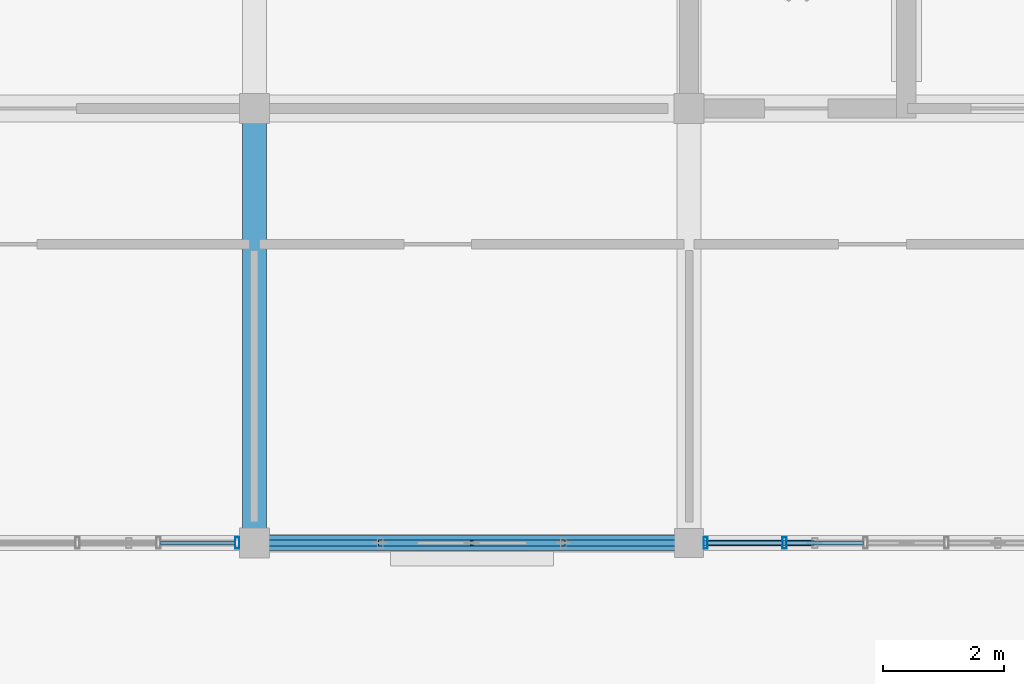
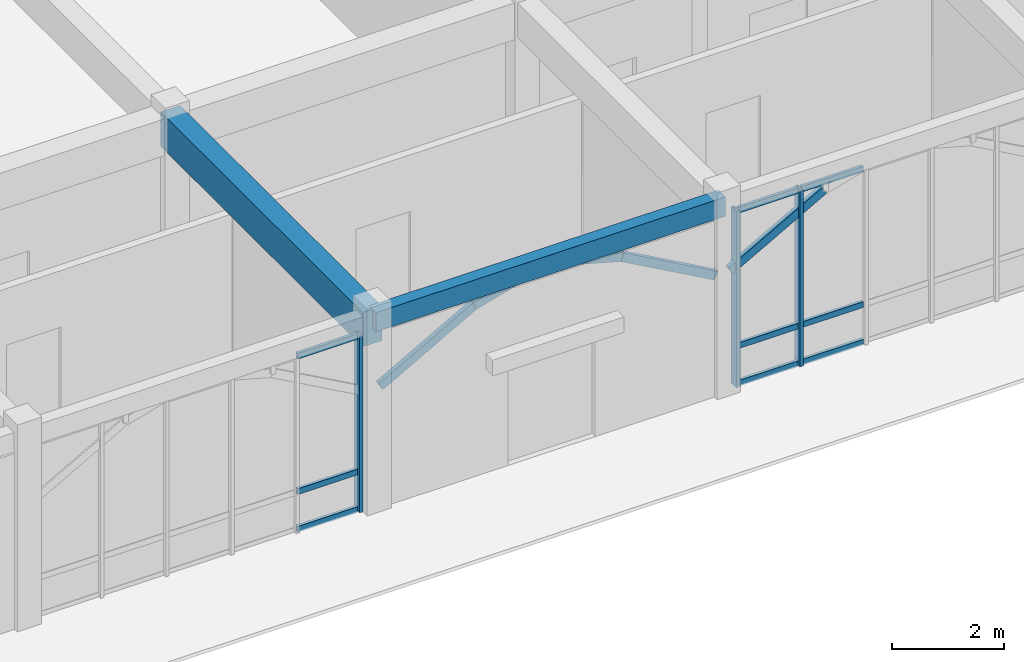
# One storey, part 18 of 138: 17 members, 2 beams, 2 elements without a shape of their own.
"""IFC4 building model written with IfcOpenShell, lengths in metres."""

import ifcopenshell
import ifcopenshell.guid

model = None  # the IFC model being written
_history = None  # IfcOwnerHistory: only IFC2X3 demands one
_inside = {}  # id of a spatial element -> (the spatial element, [elements in it])
_under = {}  # id of a project, library or spatial element -> (it, [spatial elements below it])
_declared = {}  # id of a project -> (the project, [libraries it declares])
_typed = {}  # id of a type object -> (the type object, [elements of that type])
_made_of = {}  # id of a material, layer set ... -> (it, [elements and type objects made of it])


def new_model(schema):
    """Start an empty IFC model of exactly this schema.

    Asked for "IFC4X3", IfcOpenShell would pick the latest addendum, in which some entities
    have other attributes; the version numbers below select the first issue.
    IFC2X3 requires an IfcOwnerHistory on every rooted entity: one is made here for all.
    """
    global model, _history
    if schema == "IFC4X3":
        model = ifcopenshell.file(schema_version=(4, 3, 0, 0))
    else:
        model = ifcopenshell.file(schema=schema)
    _inside.clear()
    _under.clear()
    _declared.clear()
    _typed.clear()
    _made_of.clear()
    _history = None
    if model.schema == "IFC2X3":
        org = make("IfcOrganization", Name="unknown")
        user = make(
            "IfcPersonAndOrganization",
            ThePerson=make("IfcPerson", FamilyName="unknown"),
            TheOrganization=org,
        )
        app = make(
            "IfcApplication",
            ApplicationDeveloper=org,
            Version="unknown",
            ApplicationFullName="unknown",
            ApplicationIdentifier="unknown",
        )
        _history = make(
            "IfcOwnerHistory",
            OwningUser=user,
            OwningApplication=app,
            ChangeAction="ADDED",
            CreationDate=0,
        )
    return model


def make(cls, **values):
    """One entity of the class cls with the attributes given. An attribute that is None is left unset."""
    return model.create_entity(
        cls, **{name: value for name, value in values.items() if value is not None}
    )


def rooted(cls, **values):
    """An entity with a GlobalId (a new one), such as an element, a storey or a relation."""
    return make(cls, GlobalId=ifcopenshell.guid.new(), OwnerHistory=_history, **values)


def si_unit(unit_type, name, prefix=None):
    """IfcSIUnit, for example si_unit("LENGTHUNIT", "METRE", prefix="MILLI")."""
    return make("IfcSIUnit", UnitType=unit_type, Prefix=prefix, Name=name)


def assignment(units):
    """IfcUnitAssignment: the units of a project."""
    return None if units is None else make("IfcUnitAssignment", Units=units)


def point(xyz):
    """IfcCartesianPoint."""
    return None if xyz is None else make("IfcCartesianPoint", Coordinates=xyz)


def direction(xyz):
    """IfcDirection."""
    return None if xyz is None else make("IfcDirection", DirectionRatios=xyz)


def frame(location, z_axis=None, x_axis=None):
    """IfcAxis2Placement3D, a coordinate frame: its origin and axes. An axis left out is left unset."""
    return make(
        "IfcAxis2Placement3D",
        Location=point(location),
        Axis=direction(z_axis),
        RefDirection=direction(x_axis),
    )


def frame_2d(location, x_axis=None):
    """IfcAxis2Placement2D, a coordinate frame in the plane: its origin and x axis."""
    return make(
        "IfcAxis2Placement2D", Location=point(location), RefDirection=direction(x_axis)
    )


def origin():
    """The frame at (0, 0, 0) with its axes left unset."""
    return frame((0.0, 0.0, 0.0))


def origin_2d():
    """The frame at (0, 0) in the plane with its x axis left unset."""
    return frame_2d((0.0, 0.0))


def place(relative_to, where):
    """IfcLocalPlacement: puts the frame where relative to a parent placement (None: the world)."""
    return make(
        "IfcLocalPlacement", PlacementRelTo=relative_to, RelativePlacement=where
    )


def context(
    kind, dimensions, precision=None, world=None, true_north=None, identifier=None
):
    """IfcGeometricRepresentationContext, for example the 3D "Model" context."""
    return make(
        "IfcGeometricRepresentationContext",
        ContextIdentifier=identifier,
        ContextType=kind,
        CoordinateSpaceDimension=dimensions,
        Precision=precision,
        WorldCoordinateSystem=world,
        TrueNorth=true_north,
    )


def subcontext(parent, identifier, kind, view, scale=None):
    """IfcGeometricRepresentationSubContext, for example "Body" below "Model"."""
    return make(
        "IfcGeometricRepresentationSubContext",
        ContextIdentifier=identifier,
        ContextType=kind,
        ParentContext=parent,
        TargetScale=scale,
        TargetView=view,
    )


def project(units=None, contexts=None):
    """IfcProject with its units and contexts."""
    return rooted(
        "IfcProject",
        Name="project",
        RepresentationContexts=contexts,
        UnitsInContext=assignment(units),
    )


def spatial(cls, under=None, at=None, **own):
    """A site, building, storey or space (cls), placed at a placement, below another one or the project."""
    s = rooted(cls, ObjectPlacement=at, **own)
    if under is not None:
        _under.setdefault(under.id(), (under, []))[1].append(s)
    return s


def profile(cls, at=None, kind="AREA", **sizes):
    """A parametric profile (cls). Its sizes go by their IFC names, for example OverallWidth=200.0."""
    return make(cls, ProfileType=kind, Position=at, **sizes)


def rectangle(**sizes):
    """IfcRectangleProfileDef."""
    return profile("IfcRectangleProfileDef", **sizes)


def hollow_rectangle(**sizes):
    """IfcRectangleHollowProfileDef."""
    return profile("IfcRectangleHollowProfileDef", **sizes)


def extrude(swept, where, along, depth):
    """IfcExtrudedAreaSolid: the profile swept, set in the frame where, extruded along a direction by depth."""
    return make(
        "IfcExtrudedAreaSolid",
        SweptArea=swept,
        Position=where,
        ExtrudedDirection=direction(along),
        Depth=depth,
    )


def shape(context_of_items, identifier, shape_type, items):
    """IfcShapeRepresentation: the items that make up one representation, for example the "Body"."""
    return make(
        "IfcShapeRepresentation",
        ContextOfItems=context_of_items,
        RepresentationIdentifier=identifier,
        RepresentationType=shape_type,
        Items=items,
    )


def material(Name=None, Category=None):
    """IfcMaterial."""
    return make("IfcMaterial", Name=Name, Category=Category)


def layer(
    of_material, thickness, ventilated=None, Name=None, Category=None, Priority=None
):
    """IfcMaterialLayer: one layer of a wall or slab, of a material (None: an air gap)."""
    return make(
        "IfcMaterialLayer",
        Material=of_material,
        LayerThickness=thickness,
        IsVentilated=ventilated,
        Name=Name,
        Category=Category,
        Priority=Priority,
    )


def layer_set(layers, Name=None):
    """IfcMaterialLayerSet."""
    return make("IfcMaterialLayerSet", MaterialLayers=layers, LayerSetName=Name)


def material_profile(
    of_material, cross_section, Name=None, Category=None, Priority=None
):
    """IfcMaterialProfile: a cross section and its material."""
    return make(
        "IfcMaterialProfile",
        Name=Name,
        Material=of_material,
        Profile=cross_section,
        Priority=Priority,
        Category=Category,
    )


def profile_set(profiles, Name=None, composite=None):
    """IfcMaterialProfileSet."""
    return make(
        "IfcMaterialProfileSet",
        Name=Name,
        MaterialProfiles=profiles,
        CompositeProfile=composite,
    )


def made_of(thing, what):
    """Note that an element or type object is made of a material, layer set ...; save() writes the relation."""
    if what is not None:
        _made_of.setdefault(what.id(), (what, []))[1].append(thing)
    return thing


def type_object(cls, material=None, **own):
    """A type object (cls), such as IfcWallType, which elements share."""
    return made_of(rooted(cls, **own), material)


def element(
    cls,
    number,
    at=None,
    inside=None,
    cuts=None,
    type_object=None,
    material=None,
    context=None,
    identifier="Body",
    shape_type=None,
    held_by="IfcProductDefinitionShape",
    body=None,
    shapes=None,
    **own,
):
    """One element of the class cls, such as IfcWall. Its Tag is "e" and its number.

    at: its placement. inside: the storey or other place that contains it. cuts: it is an
    opening in that element (IfcRelVoidsElement). A single representation is given by context,
    identifier, shape_type and body (its items); several are given by shapes. held_by: the class
    of the entity that holds the representations. save() writes the other relations.
    """
    e = rooted(cls, Tag="e%d" % number, ObjectPlacement=at, **own)
    if body is not None:
        shapes = [shape(context, identifier, shape_type, body)]
    if shapes is not None:
        e.Representation = make(held_by, Representations=shapes)
    if inside is not None:
        _inside.setdefault(inside.id(), (inside, []))[1].append(e)
    if cuts is not None:
        rooted(
            "IfcRelVoidsElement", RelatingBuildingElement=cuts, RelatedOpeningElement=e
        )
    if type_object is not None:
        _typed.setdefault(type_object.id(), (type_object, []))[1].append(e)
    return made_of(e, material)


def aggregate(whole, parts):
    """IfcRelAggregates: a whole, such as a stair, and the parts it consists of."""
    return rooted("IfcRelAggregates", RelatingObject=whole, RelatedObjects=parts)


def save(model, path):
    """Write the relations noted so far, then the file.

    IfcRelAggregates (storeys below a building ...), IfcRelContainedInSpatialStructure (elements
    in a storey), IfcRelDefinesByType, IfcRelAssociatesMaterial and IfcRelDeclares: one each for
    every whole, place, type object, material and project.
    """
    for whole, parts in _under.values():
        aggregate(whole, parts)
    for where, things in _inside.values():
        rooted(
            "IfcRelContainedInSpatialStructure",
            RelatedElements=things,
            RelatingStructure=where,
        )
    for kind, things in _typed.values():
        rooted("IfcRelDefinesByType", RelatedObjects=things, RelatingType=kind)
    for what, things in _made_of.values():
        rooted("IfcRelAssociatesMaterial", RelatedObjects=things, RelatingMaterial=what)
    for by, libraries in _declared.values():
        rooted("IfcRelDeclares", RelatingContext=by, RelatedDefinitions=libraries)
    model.write(path)


model = new_model("IFC4")

# Units and contexts
model_context = context("Model", 3, precision=1e-05, world=origin(), true_north=direction((0.0, 1.0)))
body_context = subcontext(model_context, "Body", "Model", "MODEL_VIEW")
ifc_project = project(units=[si_unit("LENGTHUNIT", "METRE"), si_unit("AREAUNIT", "SQUARE_METRE"), si_unit("VOLUMEUNIT", "CUBIC_METRE"), si_unit("PLANEANGLEUNIT", "RADIAN"), si_unit("MASSUNIT", "GRAM", prefix="KILO"), si_unit("THERMODYNAMICTEMPERATUREUNIT", "KELVIN"), si_unit("POWERUNIT", "WATT")], contexts=[model_context])

# Site, building, storey
site_placement = place(None, origin())
site = spatial("IfcSite", under=ifc_project, at=site_placement, CompositionType="ELEMENT")
building_placement = place(site_placement, origin())
building = spatial("IfcBuilding", under=site, at=building_placement, Name="Tavuni Mirador Residences", CompositionType="ELEMENT")
storey_placement = place(building_placement, origin())
storey = spatial("IfcBuildingStorey", under=building, at=storey_placement, Name="L00", CompositionType="ELEMENT", Elevation=0.0)

# Beams
ifc_material_1 = material(Name="Precast concrete C40/50", Category="concrete")
ifc_material_profile_1 = material_profile(ifc_material_1, rectangle(XDim=0.39990234375, YDim=0.75, at=origin_2d()), Name="RC 400x750", Category="concrete")
ifc_profile_set_1 = profile_set([ifc_material_profile_1], Name="Precast concrete C40/50")
beam_type_1 = type_object("IfcBeamType", Name="BT-G750", PredefinedType="USERDEFINED", material=ifc_profile_set_1)
beam_1_placement = place(storey_placement, frame((68.39990234375, 7.199951171875, 3.885009765625), z_axis=(0.0, 1.0, 0.0), x_axis=(-1.0, 0.0, 0.0)))
element("IfcBeam", 1, at=beam_1_placement, inside=storey, type_object=beam_type_1, Name="BMY-PAV-SHOP-L00-03-00", ObjectType="GIRDER", PredefinedType="USERDEFINED", context=body_context, shape_type="SweptSolid", body=[
    extrude(rectangle(XDim=0.39990234375, YDim=0.75, at=origin_2d()), origin(), (0.0, 0.0, 1.0), 7.199951171875),
])
ifc_material_profile_2 = material_profile(ifc_material_1, rectangle(XDim=0.25, YDim=0.419921875, at=origin_2d()), Name="PC 250x420", Category="concrete")
ifc_profile_set_2 = profile_set([ifc_material_profile_2], Name="Precast concrete C40/50")
beam_type_2 = type_object("IfcBeamType", Name="BT-SP420", PredefinedType="SPANDREL", material=ifc_profile_set_2)
beam_2_placement = place(storey_placement, frame((68.39990234375, 7.199951171875, 4.050048828125), z_axis=(1.0, 0.0, 0.0), x_axis=(0.0, 1.0, 0.0)))
element("IfcBeam", 2, at=beam_2_placement, inside=storey, type_object=beam_type_2, Name="BMX-PAV-SHOP-L00-03-00", PredefinedType="SPANDREL", context=body_context, shape_type="SweptSolid", body=[
    extrude(rectangle(XDim=0.25, YDim=0.419921875, at=origin_2d()), origin(), (0.0, 0.0, 1.0), 7.2001953125),
])

# Curtain wall, member
ifc_material_2 = material(Name="Anodised aluminium", Category="aluminium")
ifc_layer = layer(ifc_material_2, 0.18994140625, Name="Anodised aluminium", Category="aluminium")
ifc_layer_set = layer_set([ifc_layer], Name="Anodised aluminium")
curtain_wall_type = type_object("IfcCurtainWallType", Name="CWT-SHP-01", PredefinedType="NOTDEFINED", material=ifc_layer_set)
curtain_wall_1_placement = place(storey_placement, origin())
curtain_wall_1 = element("IfcCurtainWall", 3, at=curtain_wall_1_placement, inside=storey, type_object=curtain_wall_type, Name="CW-PAV-SHOP-L00-S02", PredefinedType="NOTDEFINED")
ifc_material_profile_3 = material_profile(ifc_material_2, hollow_rectangle(XDim=0.070068359375, YDim=0.18994140625, WallThickness=0.0048828125, at=origin_2d()), Name="ALU 70x190x5.0", Category="aluminium")
ifc_profile_set_3 = profile_set([ifc_material_profile_3], Name="Anodised aluminium")
member_type_1 = type_object("IfcMemberType", Name="CWM-190", PredefinedType="MULLION", material=ifc_profile_set_3)
member_1_placement = place(storey_placement, frame((68.114990234375, 7.199951171875, 0.0), z_axis=(0.0, 0.0, 1.0), x_axis=(1.0, 0.0, 0.0)))
member_1 = element("IfcMember", 4, at=member_1_placement, type_object=member_type_1, Name="CW-05 mullion 6", PredefinedType="MULLION", context=body_context, shape_type="SweptSolid", body=[
    extrude(hollow_rectangle(XDim=0.070068359375, YDim=0.18994140625, WallThickness=0.0048828125, at=origin_2d()), origin(), (0.0, 0.0, 1.0), 3.830078125),
])

# Curtain wall, members
curtain_wall_2_placement = place(storey_placement, origin())
curtain_wall_2 = element("IfcCurtainWall", 5, at=curtain_wall_2_placement, inside=storey, type_object=curtain_wall_type, Name="CW-PAV-SHOP-L00-S04", PredefinedType="NOTDEFINED")
member_2_placement = place(storey_placement, frame((75.875, 7.199951171875, 0.0), z_axis=(0.0, 0.0, 1.0), x_axis=(1.0, 0.0, 0.0)))
member_2 = element("IfcMember", 6, at=member_2_placement, type_object=member_type_1, Name="CW-05 mullion 1", PredefinedType="MULLION", context=body_context, shape_type="SweptSolid", body=[
    extrude(hollow_rectangle(XDim=0.070068359375, YDim=0.18994140625, WallThickness=0.0048828125, at=origin_2d()), origin(), (0.0, 0.0, 1.0), 3.830078125),
])
member_3_placement = place(storey_placement, frame((77.181884765625, 7.199951171875, 0.0), z_axis=(0.0, 0.0, 1.0), x_axis=(1.0, 0.0, 0.0)))
member_3 = element("IfcMember", 7, at=member_3_placement, type_object=member_type_1, Name="CW-05 mullion 2", PredefinedType="MULLION", context=body_context, shape_type="SweptSolid", body=[
    extrude(hollow_rectangle(XDim=0.070068359375, YDim=0.18994140625, WallThickness=0.0048828125, at=origin_2d()), origin(), (0.0, 0.0, 1.0), 3.830078125),
])

# Member
ifc_material_profile_4 = material_profile(ifc_material_2, hollow_rectangle(XDim=0.06494140625, YDim=0.125, WallThickness=0.00439453125, at=origin_2d()), Name="ALU 65x125x4.5", Category="aluminium")
ifc_profile_set_4 = profile_set([ifc_material_profile_4], Name="Anodised aluminium")
member_type_2 = type_object("IfcMemberType", Name="CWT-125", PredefinedType="USERDEFINED", material=ifc_profile_set_4)
member_4_placement = place(storey_placement, frame((66.844970703125, 7.199951171875, 0.032470703125), z_axis=(1.0, 0.0, 0.0), x_axis=(0.0, 1.0, 0.0)))
member_4 = element("IfcMember", 8, at=member_4_placement, type_object=member_type_2, Name="CW-05 transom 5.1", ObjectType="TRANSOM", PredefinedType="USERDEFINED", context=body_context, shape_type="SweptSolid", body=[
    extrude(hollow_rectangle(XDim=0.06494140625, YDim=0.125, WallThickness=0.00439453125, at=origin_2d()), origin(), (0.0, 0.0, 1.0), 1.235107421875),
])

member_5_placement = place(storey_placement, frame((66.844970703125, 7.199951171875, 0.85009765625), z_axis=(1.0, 0.0, 0.0), x_axis=(0.0, 1.0, 0.0)))
member_5 = element("IfcMember", 9, at=member_5_placement, type_object=member_type_2, Name="CW-05 transom 5.2", ObjectType="TRANSOM", PredefinedType="USERDEFINED", context=body_context, shape_type="SweptSolid", body=[
    extrude(hollow_rectangle(XDim=0.06494140625, YDim=0.125, WallThickness=0.00439453125, at=origin_2d()), origin(), (0.0, 0.0, 1.0), 1.235107421875),
])

member_6_placement = place(storey_placement, frame((66.844970703125, 7.199951171875, 3.797607421875), z_axis=(1.0, 0.0, 0.0), x_axis=(0.0, 1.0, 0.0)))
member_6 = element("IfcMember", 10, at=member_6_placement, type_object=member_type_2, Name="CW-05 transom 5.3", ObjectType="TRANSOM", PredefinedType="USERDEFINED", context=body_context, shape_type="SweptSolid", body=[
    extrude(hollow_rectangle(XDim=0.06494140625, YDim=0.125, WallThickness=0.00439453125, at=origin_2d()), origin(), (0.0, 0.0, 1.0), 1.235107421875),
])

aggregate(curtain_wall_1, [member_1, member_4, member_5, member_6])

member_7_placement = place(storey_placement, frame((75.909912109375, 7.199951171875, 0.032470703125), z_axis=(1.0, 0.0, 0.0), x_axis=(0.0, 1.0, 0.0)))
member_7 = element("IfcMember", 11, at=member_7_placement, type_object=member_type_2, Name="CW-05 transom 1.1", ObjectType="TRANSOM", PredefinedType="USERDEFINED", context=body_context, shape_type="SweptSolid", body=[
    extrude(hollow_rectangle(XDim=0.06494140625, YDim=0.125, WallThickness=0.00439453125, at=origin_2d()), origin(), (0.0, 0.0, 1.0), 1.237060546875),
])

member_8_placement = place(storey_placement, frame((75.909912109375, 7.199951171875, 0.85009765625), z_axis=(1.0, 0.0, 0.0), x_axis=(0.0, 1.0, 0.0)))
member_8 = element("IfcMember", 12, at=member_8_placement, type_object=member_type_2, Name="CW-05 transom 1.2", ObjectType="TRANSOM", PredefinedType="USERDEFINED", context=body_context, shape_type="SweptSolid", body=[
    extrude(hollow_rectangle(XDim=0.06494140625, YDim=0.125, WallThickness=0.00439453125, at=origin_2d()), origin(), (0.0, 0.0, 1.0), 1.237060546875),
])

member_9_placement = place(storey_placement, frame((75.909912109375, 7.199951171875, 3.797607421875), z_axis=(1.0, 0.0, 0.0), x_axis=(0.0, 1.0, 0.0)))
member_9 = element("IfcMember", 13, at=member_9_placement, type_object=member_type_2, Name="CW-05 transom 1.3", ObjectType="TRANSOM", PredefinedType="USERDEFINED", context=body_context, shape_type="SweptSolid", body=[
    extrude(hollow_rectangle(XDim=0.06494140625, YDim=0.125, WallThickness=0.00439453125, at=origin_2d()), origin(), (0.0, 0.0, 1.0), 1.237060546875),
])

member_10_placement = place(storey_placement, frame((77.217041015625, 7.199951171875, 0.032470703125), z_axis=(1.0, 0.0, 0.0), x_axis=(0.0, 1.0, 0.0)))
member_10 = element("IfcMember", 14, at=member_10_placement, type_object=member_type_2, Name="CW-05 transom 2.1", ObjectType="TRANSOM", PredefinedType="USERDEFINED", context=body_context, shape_type="SweptSolid", body=[
    extrude(hollow_rectangle(XDim=0.06494140625, YDim=0.125, WallThickness=0.00439453125, at=origin_2d()), origin(), (0.0, 0.0, 1.0), 1.27197265625),
])

member_11_placement = place(storey_placement, frame((77.217041015625, 7.199951171875, 0.85009765625), z_axis=(1.0, 0.0, 0.0), x_axis=(0.0, 1.0, 0.0)))
member_11 = element("IfcMember", 15, at=member_11_placement, type_object=member_type_2, Name="CW-05 transom 2.2", ObjectType="TRANSOM", PredefinedType="USERDEFINED", context=body_context, shape_type="SweptSolid", body=[
    extrude(hollow_rectangle(XDim=0.06494140625, YDim=0.125, WallThickness=0.00439453125, at=origin_2d()), origin(), (0.0, 0.0, 1.0), 1.27197265625),
])

member_12_placement = place(storey_placement, frame((77.217041015625, 7.199951171875, 3.797607421875), z_axis=(1.0, 0.0, 0.0), x_axis=(0.0, 1.0, 0.0)))
member_12 = element("IfcMember", 16, at=member_12_placement, type_object=member_type_2, Name="CW-05 transom 2.3", ObjectType="TRANSOM", PredefinedType="USERDEFINED", context=body_context, shape_type="SweptSolid", body=[
    extrude(hollow_rectangle(XDim=0.06494140625, YDim=0.125, WallThickness=0.00439453125, at=origin_2d()), origin(), (0.0, 0.0, 1.0), 1.27197265625),
])

aggregate(curtain_wall_2, [member_2, member_3, member_7, member_8, member_9, member_10, member_11, member_12])

# Members
ifc_material_3 = material(Name="Structural steel S355", Category="steel")
ifc_material_profile_5 = material_profile(ifc_material_3, hollow_rectangle(XDim=0.10009765625, YDim=0.179931640625, WallThickness=0.008056640625, at=origin_2d()), Name="RHS 180x100x8.0", Category="steel")
ifc_profile_set_5 = profile_set([ifc_material_profile_5], Name="Structural steel S355")
member_type_3 = type_object("IfcMemberType", Name="MT-BR-RHS180", PredefinedType="BRACE", material=ifc_profile_set_5)
member_13_placement = place(storey_placement, frame((68.550048828125, 7.199951171875, 2.550048828125), z_axis=(0.872895121114, 0.0, 0.487907888372), x_axis=(0.0, 1.0, 0.0)))
element("IfcMember", 17, at=member_13_placement, inside=storey, type_object=member_type_3, Name="ARCH-SHOP-S-03-H1", PredefinedType="BRACE", context=body_context, shape_type="SweptSolid", body=[
    extrude(hollow_rectangle(XDim=0.10009765625, YDim=0.179931640625, WallThickness=0.008056640625, at=origin_2d()), origin(), (0.0, 0.0, 1.0), 2.213134765625),
])
for number, where, z_axis, x_axis, name in (
    (18, (70.48193359375, 7.199951171875, 3.6298828125), (0.9637661981, 0.0, 0.266748412179), (0.0, 1.0, 0.0), "ARCH-SHOP-S-03-S1"),
    (19, (72.0, 7.199951171875, 4.050048828125), (0.9637661981, 0.0, -0.266748412179), (0.0, 1.0, 0.0), "ARCH-SHOP-S-03-S2"),
):
    element("IfcMember", number, at=place(storey_placement, frame(where, z_axis=z_axis, x_axis=x_axis)), inside=storey, type_object=member_type_3, Name=name, PredefinedType="BRACE", context=body_context, shape_type="SweptSolid", body=[
        extrude(hollow_rectangle(XDim=0.10009765625, YDim=0.179931640625, WallThickness=0.008056640625, at=origin_2d()), origin(), (0.0, 0.0, 1.0), 1.5751953125),
    ])
for number, where, z_axis, x_axis, name in (
    (20, (73.51806640625, 7.199951171875, 3.6298828125), (0.872895121114, 0.0, -0.487907888372), (0.0, 1.0, 0.0), "ARCH-SHOP-S-03-H2"),
    (21, (75.75, 7.199951171875, 2.550048828125), (0.872895121114, 0.0, 0.487907888372), (0.0, 1.0, 0.0), "ARCH-SHOP-S-04-H1"),
):
    element("IfcMember", number, at=place(storey_placement, frame(where, z_axis=z_axis, x_axis=x_axis)), inside=storey, type_object=member_type_3, Name=name, PredefinedType="BRACE", context=body_context, shape_type="SweptSolid", body=[
        extrude(hollow_rectangle(XDim=0.10009765625, YDim=0.179931640625, WallThickness=0.008056640625, at=origin_2d()), origin(), (0.0, 0.0, 1.0), 2.213134765625),
    ])

save(model, "model.ifc")
